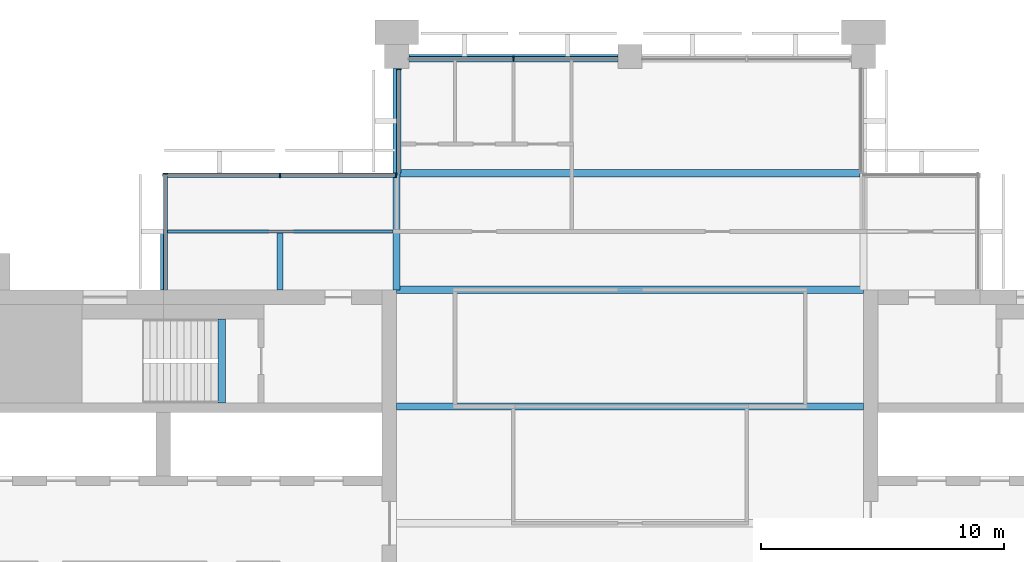
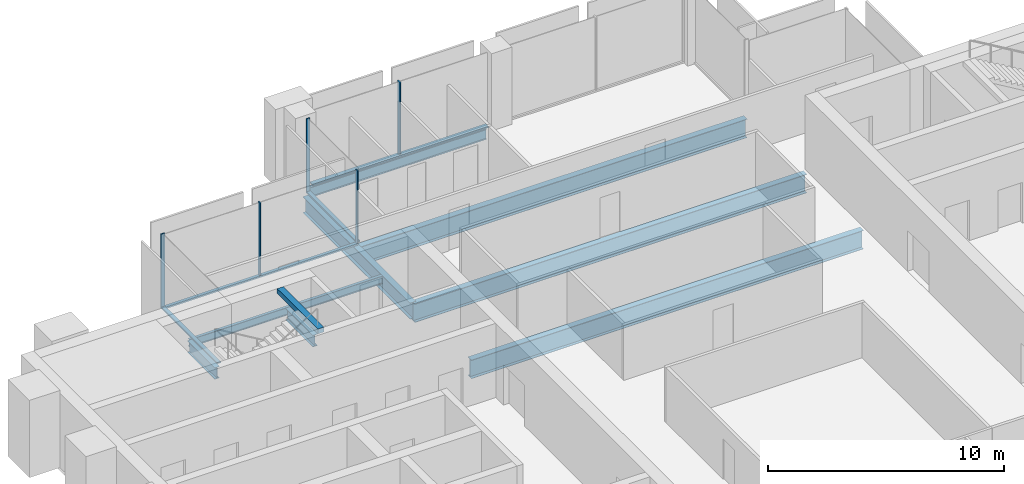
# One storey, part 5 of 12: 9 beams, 9 members, 4 elements without a shape of their own.
"""IFC4 building model written with IfcOpenShell, lengths in metres."""

from ifc_helpers import new_model, si_unit, direction, frame, origin, origin_2d, place, context, subcontext, project, spatial, rectangle, i_section, extrude, material, material_profile, profile_set, type_object, element, aggregate, save


model = new_model("IFC4")

# Units and contexts
model_context = context("Model", 3, precision=1e-05, world=origin(), true_north=direction((0.0, 1.0)))
body_context = subcontext(model_context, "Body", "Model", "MODEL_VIEW")
ifc_project = project(units=[si_unit("LENGTHUNIT", "METRE"), si_unit("AREAUNIT", "SQUARE_METRE"), si_unit("VOLUMEUNIT", "CUBIC_METRE"), si_unit("PLANEANGLEUNIT", "RADIAN"), si_unit("MASSUNIT", "GRAM", prefix="KILO")], contexts=[model_context])

# Site, building, storey
site_placement = place(None, origin())
site = spatial("IfcSite", under=ifc_project, at=site_placement, CompositionType="ELEMENT")
building_placement = place(site_placement, origin())
building = spatial("IfcBuilding", under=site, at=building_placement, Name="Baori Bourse Tower", CompositionType="ELEMENT")
storey_placement = place(building_placement, frame((0.0, 0.0, 286.300048828125)))
storey = spatial("IfcBuildingStorey", under=building, at=storey_placement, Name="L62", CompositionType="ELEMENT", Elevation=286.300048828125)

# Curtain wall, member
ifc_material_1 = material(Name="Pale anodised aluminium", Category="aluminium")
curtain_wall_type_1 = type_object("IfcCurtainWallType", Name="CW2 Curtain wall", PredefinedType="NOTDEFINED", material=ifc_material_1)
curtain_wall_1_placement = place(storey_placement, origin())
curtain_wall_1 = element("IfcCurtainWall", 1, at=curtain_wall_1_placement, inside=storey, type_object=curtain_wall_type_1, Name="Curtain wall CW2 L62 5", PredefinedType="NOTDEFINED")
ifc_material_2 = material(Name="Pale anodised aluminium", Category="aluminium")
ifc_material_profile_1 = material_profile(ifc_material_2, rectangle(XDim=0.179931640625, YDim=0.054931640625, at=origin_2d()), Name="Mullion 55x180")
ifc_profile_set_1 = profile_set([ifc_material_profile_1], Name="Pale anodised aluminium")
member_type_1 = type_object("IfcMemberType", Name="CW2 Curtain wall mullion", PredefinedType="MULLION", material=ifc_profile_set_1)
member_1_placement = place(storey_placement, frame((19.2900390625, 47.472412109375, 0.070068359375), z_axis=(0.0, 0.0, 1.0), x_axis=(1.0, 0.0, 0.0)))
member_1 = element("IfcMember", 2, at=member_1_placement, type_object=member_type_1, Name="Curtain wall CW2 mullion", PredefinedType="MULLION", context=body_context, shape_type="SweptSolid", body=[
    extrude(rectangle(XDim=0.179931640625, YDim=0.054931640625, at=origin_2d()), origin(), (0.0, 0.0, 1.0), 3.769775390625),
])

# Curtain wall, members
curtain_wall_2_placement = place(storey_placement, origin())
curtain_wall_2 = element("IfcCurtainWall", 3, at=curtain_wall_2_placement, inside=storey, type_object=curtain_wall_type_1, Name="Curtain wall CW2 L62 6", PredefinedType="NOTDEFINED")
member_2_placement = place(storey_placement, frame((19.172607421875, 43.110107421875, 0.070068359375), z_axis=(0.0, 0.0, 1.0), x_axis=(0.0, -1.0, 0.0)))
member_2 = element("IfcMember", 4, at=member_2_placement, type_object=member_type_1, Name="Curtain wall CW2 mullion", PredefinedType="MULLION", context=body_context, shape_type="SweptSolid", body=[
    extrude(rectangle(XDim=0.179931640625, YDim=0.054931640625, at=origin_2d()), origin(), (0.0, 0.0, 1.0), 3.769775390625),
])
member_3_placement = place(storey_placement, frame((14.39990234375, 43.110107421875, 0.070068359375), z_axis=(0.0, 0.0, 1.0), x_axis=(0.0, -1.0, 0.0)))
member_3 = element("IfcMember", 5, at=member_3_placement, type_object=member_type_1, Name="Curtain wall CW2 mullion", PredefinedType="MULLION", context=body_context, shape_type="SweptSolid", body=[
    extrude(rectangle(XDim=0.179931640625, YDim=0.054931640625, at=origin_2d()), origin(), (0.0, 0.0, 1.0), 3.769775390625),
])

# Curtain wall, member
curtain_wall_3_placement = place(storey_placement, origin())
curtain_wall_3 = element("IfcCurtainWall", 6, at=curtain_wall_3_placement, inside=storey, type_object=curtain_wall_type_1, Name="Curtain wall CW2 L62 7", PredefinedType="NOTDEFINED")
member_4_placement = place(storey_placement, frame((9.68994140625, 43.172607421875, 0.070068359375), z_axis=(0.0, 0.0, 1.0), x_axis=(1.0, 0.0, 0.0)))
member_4 = element("IfcMember", 7, at=member_4_placement, type_object=member_type_1, Name="Curtain wall CW2 mullion", PredefinedType="MULLION", context=body_context, shape_type="SweptSolid", body=[
    extrude(rectangle(XDim=0.179931640625, YDim=0.054931640625, at=origin_2d()), origin(), (0.0, 0.0, 1.0), 3.769775390625),
])

# Member
ifc_material_3 = material(Name="Pale anodised aluminium", Category="aluminium")
ifc_material_profile_2 = material_profile(ifc_material_3, rectangle(XDim=0.179931640625, YDim=0.070068359375, at=origin_2d()), Name="Transom 70x180")
ifc_profile_set_2 = profile_set([ifc_material_profile_2], Name="Pale anodised aluminium")
member_type_2 = type_object("IfcMemberType", Name="CW2 Curtain wall transom", PredefinedType="USERDEFINED", material=ifc_profile_set_2)
member_5_placement = place(storey_placement, frame((19.2900390625, 47.5, 0.034912109375), z_axis=(0.0, -1.0, 0.0), x_axis=(1.0, 0.0, 0.0)))
member_5 = element("IfcMember", 8, at=member_5_placement, type_object=member_type_2, Name="Curtain wall CW2 sill rail", ObjectType="TRANSOM", PredefinedType="USERDEFINED", context=body_context, shape_type="SweptSolid", body=[
    extrude(rectangle(XDim=0.179931640625, YDim=0.070068359375, at=origin_2d()), origin(), (0.0, 0.0, 1.0), 4.300048828125),
])

aggregate(curtain_wall_1, [member_5, member_1])

member_6_placement = place(storey_placement, frame((19.199951171875, 43.110107421875, 0.034912109375), z_axis=(-1.0, 0.0, 0.0), x_axis=(0.0, -1.0, 0.0)))
member_6 = element("IfcMember", 9, at=member_6_placement, type_object=member_type_2, Name="Curtain wall CW2 sill rail", ObjectType="TRANSOM", PredefinedType="USERDEFINED", context=body_context, shape_type="SweptSolid", body=[
    extrude(rectangle(XDim=0.179931640625, YDim=0.070068359375, at=origin_2d()), origin(), (0.0, 0.0, 1.0), 9.599853515625),
])

aggregate(curtain_wall_2, [member_6, member_2, member_3])

member_7_placement = place(storey_placement, frame((9.68994140625, 43.199951171875, 0.034912109375), z_axis=(0.0, -1.0, 0.0), x_axis=(1.0, 0.0, 0.0)))
member_7 = element("IfcMember", 10, at=member_7_placement, type_object=member_type_2, Name="Curtain wall CW2 sill rail", ObjectType="TRANSOM", PredefinedType="USERDEFINED", context=body_context, shape_type="SweptSolid", body=[
    extrude(rectangle(XDim=0.179931640625, YDim=0.070068359375, at=origin_2d()), origin(), (0.0, 0.0, 1.0), 4.800048828125),
])

aggregate(curtain_wall_3, [member_7, member_4])

# Curtain wall, members
ifc_material_4 = material(Name="Pale anodised aluminium", Category="aluminium")
curtain_wall_type_2 = type_object("IfcCurtainWallType", Name="CW5 Curtain wall", PredefinedType="NOTDEFINED", material=ifc_material_4)
curtain_wall_4_placement = place(storey_placement, origin())
curtain_wall_4 = element("IfcCurtainWall", 11, at=curtain_wall_4_placement, inside=storey, type_object=curtain_wall_type_2, Name="Curtain wall CW5 L62 4", PredefinedType="NOTDEFINED")
ifc_material_5 = material(Name="Pale anodised aluminium", Category="aluminium")
ifc_material_profile_3 = material_profile(ifc_material_5, rectangle(XDim=0.219970703125, YDim=0.06494140625, at=origin_2d()), Name="Mullion 65x220")
ifc_profile_set_3 = profile_set([ifc_material_profile_3], Name="Pale anodised aluminium")
member_type_3 = type_object("IfcMemberType", Name="CW5 Curtain wall mullion", PredefinedType="MULLION", material=ifc_profile_set_3)
member_8_placement = place(storey_placement, frame((24.0, 47.889892578125, 0.0849609375), z_axis=(0.0, 0.0, 1.0), x_axis=(0.0, -1.0, 0.0)))
member_8 = element("IfcMember", 12, at=member_8_placement, type_object=member_type_3, Name="Curtain wall CW5 mullion", PredefinedType="MULLION", context=body_context, shape_type="SweptSolid", body=[
    extrude(rectangle(XDim=0.219970703125, YDim=0.06494140625, at=origin_2d()), origin(), (0.0, 0.0, 1.0), 3.7548828125),
])
ifc_material_6 = material(Name="Pale anodised aluminium", Category="aluminium")
ifc_material_profile_4 = material_profile(ifc_material_6, rectangle(XDim=0.219970703125, YDim=0.0849609375, at=origin_2d()), Name="Transom 85x220")
ifc_profile_set_4 = profile_set([ifc_material_profile_4], Name="Pale anodised aluminium")
member_type_4 = type_object("IfcMemberType", Name="CW5 Curtain wall transom", PredefinedType="USERDEFINED", material=ifc_profile_set_4)
member_9_placement = place(storey_placement, frame((28.300048828125, 47.889892578125, 0.04248046875), z_axis=(-1.0, 0.0, 0.0), x_axis=(0.0, -1.0, 0.0)))
member_9 = element("IfcMember", 13, at=member_9_placement, type_object=member_type_4, Name="Curtain wall CW5 sill rail", ObjectType="TRANSOM", PredefinedType="USERDEFINED", context=body_context, shape_type="SweptSolid", body=[
    extrude(rectangle(XDim=0.219970703125, YDim=0.0849609375, at=origin_2d()), origin(), (0.0, 0.0, 1.0), 8.60009765625),
])
aggregate(curtain_wall_4, [member_9, member_8])

# Beams
ifc_material_7 = material(Name="Steel A992 Gr 50", Category="steel")
ifc_material_profile_5 = material_profile(ifc_material_7, i_section(OverallWidth=0.227783203125, OverallDepth=0.60205078125, WebThickness=0.010498046875, FlangeThickness=0.014892578125, at=origin_2d()), Name="W24x68")
ifc_profile_set_5 = profile_set([ifc_material_profile_5], Name="Steel A992 Gr 50")
beam_type_1 = type_object("IfcBeamType", Name="Core bracket W24x68", PredefinedType="BEAM", material=ifc_profile_set_5)
for number, where, z_axis, x_axis, name in (
    (14, (9.60009765625, 38.39990234375, -0.4609375), (0.0, 1.0, 0.0), (-1.0, 0.0, 0.0), "Core bracket L62"),
    (15, (14.39990234375, 38.39990234375, -0.4609375), (0.0, 1.0, 0.0), (-1.0, 0.0, 0.0), "Core bracket L62"),
):
    element("IfcBeam", number, at=place(storey_placement, frame(where, z_axis=z_axis, x_axis=x_axis)), inside=storey, type_object=beam_type_1, Name=name, PredefinedType="BEAM", context=body_context, shape_type="SweptSolid", body=[
        extrude(i_section(OverallWidth=0.227783203125, OverallDepth=0.60205078125, WebThickness=0.010498046875, FlangeThickness=0.014892578125, at=origin_2d()), origin(), (0.0, 0.0, 1.0), 2.329833984375),
    ])
ifc_material_8 = material(Name="Steel A992 Gr 50", Category="steel")
ifc_material_profile_6 = material_profile(ifc_material_8, i_section(OverallWidth=0.1650390625, OverallDepth=0.52587890625, WebThickness=0.0087890625, FlangeThickness=0.011474609375, at=origin_2d()), Name="W21x44")
ifc_profile_set_6 = profile_set([ifc_material_profile_6], Name="Steel A992 Gr 50")
beam_type_2 = type_object("IfcBeamType", Name="Edge beam W21x44", PredefinedType="BEAM", material=ifc_profile_set_6)
beam_1_placement = place(storey_placement, frame((19.699951171875, 48.0, -0.4228515625), z_axis=(1.0, 0.0, 0.0), x_axis=(0.0, 1.0, 0.0)))
element("IfcBeam", 16, at=beam_1_placement, inside=storey, type_object=beam_type_2, Name="Edge beam L62", PredefinedType="BEAM", context=body_context, shape_type="SweptSolid", body=[
    extrude(i_section(OverallWidth=0.1650390625, OverallDepth=0.52587890625, WebThickness=0.0087890625, FlangeThickness=0.011474609375, at=origin_2d()), origin(), (0.0, 0.0, 1.0), 8.60009765625),
])
ifc_material_9 = material(Name="Steel A992 Gr 50", Category="steel")
ifc_material_profile_7 = material_profile(ifc_material_9, i_section(OverallWidth=0.2998046875, OverallDepth=0.97021484375, WebThickness=0.01611328125, FlangeThickness=0.02099609375, at=origin_2d()), Name="W40x149")
ifc_profile_set_7 = profile_set([ifc_material_profile_7], Name="Steel A992 Gr 50")
beam_type_3 = type_object("IfcBeamType", Name="Floor beam W40x149", PredefinedType="BEAM", material=ifc_profile_set_7)
for number, where, z_axis, x_axis, name in (
    (17, (19.199951171875, 33.60009765625, -0.645263671875), (1.0, 0.0, 0.0), (0.0, 1.0, 0.0), "Floor beam L62"),
    (18, (19.199951171875, 38.39990234375, -0.645263671875), (1.0, 0.0, 0.0), (0.0, 1.0, 0.0), "Floor beam L62"),
):
    element("IfcBeam", number, at=place(storey_placement, frame(where, z_axis=z_axis, x_axis=x_axis)), inside=storey, type_object=beam_type_3, Name=name, PredefinedType="BEAM", context=body_context, shape_type="SweptSolid", body=[
        extrude(i_section(OverallWidth=0.2998046875, OverallDepth=0.97021484375, WebThickness=0.01611328125, FlangeThickness=0.02099609375, at=origin_2d()), origin(), (0.0, 0.0, 1.0), 19.199951171875),
    ])
beam_2_placement = place(storey_placement, frame((19.345947265625, 43.199951171875, -0.645263671875), z_axis=(1.0, 0.0, 0.0), x_axis=(0.0, 1.0, 0.0)))
element("IfcBeam", 19, at=beam_2_placement, inside=storey, type_object=beam_type_3, Name="Floor beam L62", PredefinedType="BEAM", context=body_context, shape_type="SweptSolid", body=[
    extrude(i_section(OverallWidth=0.2998046875, OverallDepth=0.97021484375, WebThickness=0.01611328125, FlangeThickness=0.02099609375, at=origin_2d()), origin(), (0.0, 0.0, 1.0), 18.907958984375),
])
ifc_material_10 = material(Name="Steel A992 Gr 50", Category="steel")
ifc_material_profile_8 = material_profile(ifc_material_10, i_section(OverallWidth=0.2919921875, OverallDepth=0.835693359375, WebThickness=0.013916015625, FlangeThickness=0.018798828125, at=origin_2d()), Name="W33x118")
ifc_profile_set_8 = profile_set([ifc_material_profile_8], Name="Steel A992 Gr 50")
beam_type_4 = type_object("IfcBeamType", Name="Girder W33x118", PredefinedType="BEAM", material=ifc_profile_set_8)
beam_3_placement = place(storey_placement, frame((19.199951171875, 38.39990234375, -0.577880859375), z_axis=(0.0, 1.0, 0.0), x_axis=(-1.0, 0.0, 0.0)))
element("IfcBeam", 20, at=beam_3_placement, inside=storey, type_object=beam_type_4, Name="Girder L62", PredefinedType="BEAM", context=body_context, shape_type="SweptSolid", body=[
    extrude(i_section(OverallWidth=0.2919921875, OverallDepth=0.835693359375, WebThickness=0.013916015625, FlangeThickness=0.018798828125, at=origin_2d()), origin(), (0.0, 0.0, 1.0), 9.10009765625),
])
ifc_material_11 = material(Name="Concrete f'c 50 MPa", Category="concrete")
ifc_material_profile_9 = material_profile(ifc_material_11, rectangle(XDim=0.300048828125, YDim=0.25, at=origin_2d()), Name="RC 300x250")
ifc_profile_set_9 = profile_set([ifc_material_profile_9], Name="Concrete f'c 50 MPa")
beam_type_5 = type_object("IfcBeamType", Name="Stair nib beam RC 300x250", PredefinedType="BEAM", material=ifc_profile_set_9)
beam_4_placement = place(storey_placement, frame((12.0, 33.75, 3.71484375), z_axis=(0.0, 1.0, 0.0), x_axis=(-1.0, 0.0, 0.0)))
element("IfcBeam", 21, at=beam_4_placement, inside=storey, type_object=beam_type_5, Name="Stair WB nib beam L63", PredefinedType="BEAM", context=body_context, shape_type="SweptSolid", body=[
    extrude(rectangle(XDim=0.300048828125, YDim=0.25, at=origin_2d()), origin(), (0.0, 0.0, 1.0), 3.449951171875),
])
ifc_material_12 = material(Name="Steel A992 Gr 50", Category="steel")
ifc_material_profile_10 = material_profile(ifc_material_12, i_section(OverallWidth=0.140380859375, OverallDepth=0.40380859375, WebThickness=0.007080078125, FlangeThickness=0.01123046875, at=origin_2d()), Name="W16x31")
ifc_profile_set_10 = profile_set([ifc_material_profile_10], Name="Steel A992 Gr 50")
beam_type_6 = type_object("IfcBeamType", Name="Trimmer beam W16x31", PredefinedType="BEAM", material=ifc_profile_set_10)
beam_5_placement = place(storey_placement, frame((9.60009765625, 40.800048828125, -0.362060546875), z_axis=(1.0, 0.0, 0.0), x_axis=(0.0, 1.0, 0.0)))
element("IfcBeam", 22, at=beam_5_placement, inside=storey, type_object=beam_type_6, Name="Trimmer beam L62", PredefinedType="BEAM", context=body_context, shape_type="SweptSolid", body=[
    extrude(i_section(OverallWidth=0.140380859375, OverallDepth=0.40380859375, WebThickness=0.007080078125, FlangeThickness=0.01123046875, at=origin_2d()), origin(), (0.0, 0.0, 1.0), 9.453857421875),
])

save(model, "model.ifc")
